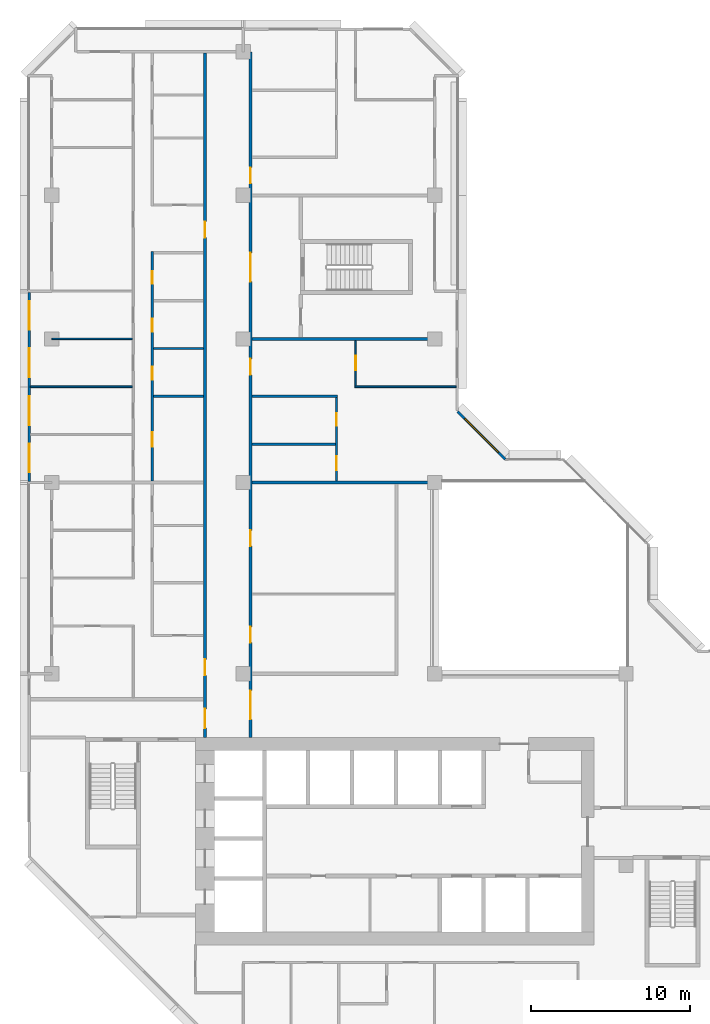
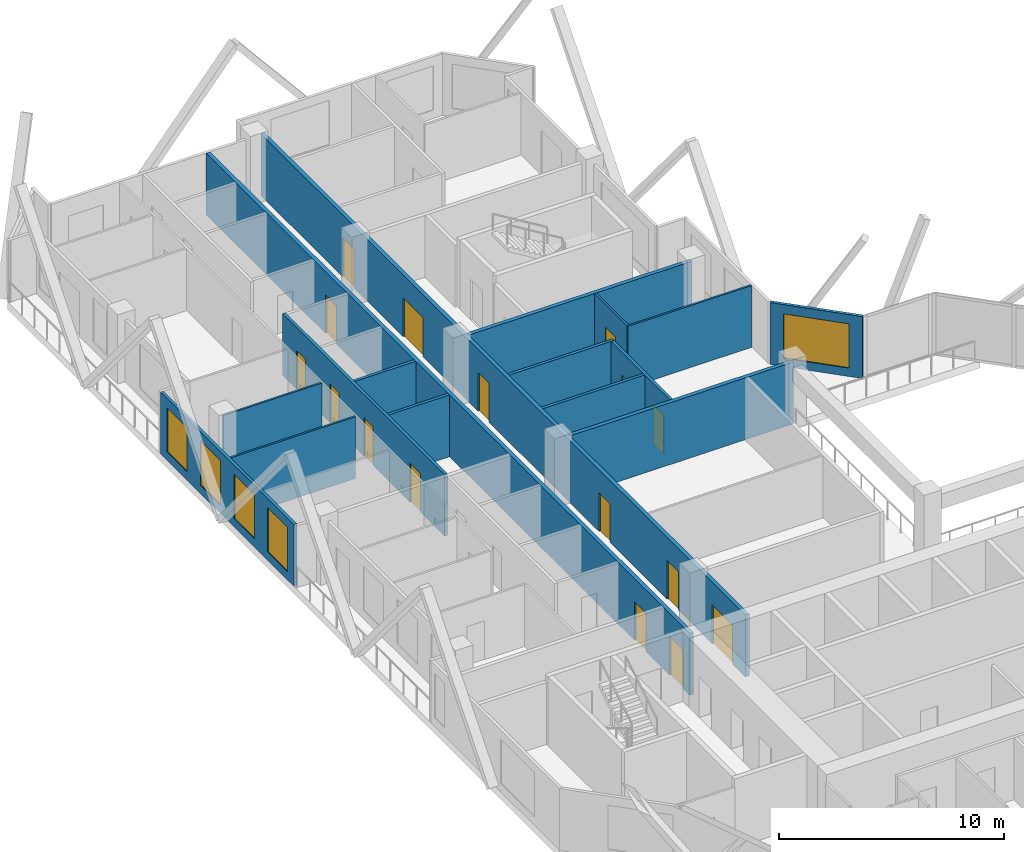
# One storey, part 9 of 15: 16 doors, 16 walls, 5 windows, 21 openings.
"""IFC4 building model written with IfcOpenShell, lengths in metres."""

from ifc_helpers import new_model, si_unit, direction, frame, frame_2d, origin, place, context, subcontext, project, spatial, rectangle, extrude, material, layer, layer_set, type_object, element, fill, save


model = new_model("IFC4")

# Units and contexts
model_context = context("Model", 3, precision=1e-05, world=origin(), true_north=direction((0.0, 1.0)))
body_context = subcontext(model_context, "Body", "Model", "MODEL_VIEW")
ifc_project = project(units=[si_unit("LENGTHUNIT", "METRE"), si_unit("AREAUNIT", "SQUARE_METRE"), si_unit("VOLUMEUNIT", "CUBIC_METRE"), si_unit("PLANEANGLEUNIT", "RADIAN"), si_unit("MASSUNIT", "GRAM", prefix="KILO")], contexts=[model_context])

# Site, building, storey
site_placement = place(None, origin())
site = spatial("IfcSite", under=ifc_project, at=site_placement, CompositionType="ELEMENT")
building_placement = place(site_placement, origin())
building = spatial("IfcBuilding", under=site, at=building_placement, Name="Chenar Terraces", CompositionType="ELEMENT")
storey_placement = place(building_placement, frame((0.0, 0.0, 172.39990234375)))
storey = spatial("IfcBuildingStorey", under=building, at=storey_placement, Name="L39", CompositionType="ELEMENT", Elevation=172.39990234375)

# Wall, openings, doors
ifc_material_1 = material(Name="Gypsum board on steel studs with fire boards", Category="steel")
ifc_layer_1 = layer(ifc_material_1, 0.199951171875)
ifc_layer_set_1 = layer_set([ifc_layer_1], Name="Gypsum board on steel studs with fire boards")
wall_type_1 = type_object("IfcWallType", Name="Corridor wall 200", PredefinedType="PARTITIONING", material=ifc_layer_set_1)
wall_1_placement = place(storey_placement, frame((9.60009765625, 20.0, 0.0), z_axis=(0.0, 0.0, 1.0), x_axis=(0.0, 1.0, 0.0)))
wall_1 = element("IfcWall", 1, at=wall_1_placement, inside=storey, type_object=wall_type_1, Name="Partition L39-032", PredefinedType="PARTITIONING", context=body_context, shape_type="SweptSolid", body=[
    extrude(rectangle(XDim=42.926025390625, YDim=0.199951171875, at=frame_2d((21.462890625, 0.0))), origin(), (0.0, 0.0, 1.0), 3.35009765625),
])
opening_1_placement = place(wall_1_placement, frame((31.35009765625, 0.0, 0.0)))
opening_1 = element("IfcOpeningElement", 2, at=opening_1_placement, cuts=wall_1, Name="Opening DL39-29", PredefinedType="OPENING", context=body_context, shape_type="SweptSolid", body=[
    extrude(rectangle(XDim=1.0, YDim=2.10009765625, at=frame_2d((0.5, 1.050048828125))), frame((0.0, 0.10986328125, 0.0), z_axis=(0.0, -1.0, 0.0), x_axis=(1.0, 0.0, 0.0)), (0.0, 0.0, 1.0), 0.219970703125),
])
opening_2_placement = place(wall_1_placement, frame((0.60009765625, 0.0, 0.0)))
opening_2 = element("IfcOpeningElement", 3, at=opening_2_placement, cuts=wall_1, Name="Opening DL39-40", PredefinedType="OPENING", context=body_context, shape_type="SweptSolid", body=[
    extrude(rectangle(XDim=1.199951171875, YDim=2.10009765625, at=frame_2d((0.60009765625, 1.050048828125))), frame((0.0, 0.10986328125, 0.0), z_axis=(0.0, -1.0, 0.0), x_axis=(1.0, 0.0, 0.0)), (0.0, 0.0, 1.0), 0.219970703125),
])
opening_3_placement = place(wall_1_placement, frame((3.89990234375, 0.0, 0.0)))
opening_3 = element("IfcOpeningElement", 4, at=opening_3_placement, cuts=wall_1, Name="Opening DL39-62", PredefinedType="OPENING", context=body_context, shape_type="SweptSolid", body=[
    extrude(rectangle(XDim=1.0, YDim=2.10009765625, at=frame_2d((0.5, 1.050048828125))), frame((0.0, 0.10986328125, 0.0), z_axis=(0.0, -1.0, 0.0), x_axis=(1.0, 0.0, 0.0)), (0.0, 0.0, 1.0), 0.219970703125),
])
ifc_material_2 = material(Name="Steel-framed fire-resisting door leaf", Category="steel")
door_type_1 = type_object("IfcDoorType", Name="Fire door FD30S 1000 x 2100", OperationType="SINGLE_SWING_LEFT", PredefinedType="DOOR", material=ifc_material_2)
door_1_placement = place(opening_1_placement, origin())
door_1 = element("IfcDoor", 5, at=door_1_placement, inside=storey, type_object=door_type_1, Name="Door DL39-29", OperationType="SINGLE_SWING_LEFT", OverallHeight=2.10009765625, OverallWidth=1.0, PredefinedType="DOOR", context=body_context, shape_type="SweptSolid", body=[
    extrude(rectangle(XDim=1.0, YDim=2.10009765625, at=frame_2d((0.5, 1.050048828125))), frame((0.0, 0.02490234375, 0.0), z_axis=(0.0, -1.0, 0.0), x_axis=(1.0, 0.0, 0.0)), (0.0, 0.0, 1.0), 0.050048828125),
])
fill(opening_1, door_1)
door_2_placement = place(opening_3_placement, origin())
door_2 = element("IfcDoor", 6, at=door_2_placement, inside=storey, type_object=door_type_1, Name="Door DL39-62", OperationType="SINGLE_SWING_LEFT", OverallHeight=2.10009765625, OverallWidth=1.0, PredefinedType="DOOR", context=body_context, shape_type="SweptSolid", body=[
    extrude(rectangle(XDim=1.0, YDim=2.10009765625, at=frame_2d((0.5, 1.050048828125))), frame((0.0, 0.02490234375, 0.0), z_axis=(0.0, -1.0, 0.0), x_axis=(1.0, 0.0, 0.0)), (0.0, 0.0, 1.0), 0.050048828125),
])
fill(opening_3, door_2)
ifc_material_3 = material(Name="Steel-framed fire-resisting door leaf", Category="steel")
door_type_2 = type_object("IfcDoorType", Name="Fire door FD30S 1200 x 2100", OperationType="SINGLE_SWING_LEFT", PredefinedType="DOOR", material=ifc_material_3)
door_3_placement = place(opening_2_placement, origin())
door_3 = element("IfcDoor", 7, at=door_3_placement, inside=storey, type_object=door_type_2, Name="Door DL39-40", OperationType="SINGLE_SWING_RIGHT", OverallHeight=2.10009765625, OverallWidth=1.199951171875, PredefinedType="DOOR", context=body_context, shape_type="SweptSolid", body=[
    extrude(rectangle(XDim=1.199951171875, YDim=2.10009765625, at=frame_2d((0.60009765625, 1.050048828125))), frame((0.0, 0.02490234375, 0.0), z_axis=(0.0, -1.0, 0.0), x_axis=(1.0, 0.0, 0.0)), (0.0, 0.0, 1.0), 0.050048828125),
])
fill(opening_2, door_3)

wall_2_placement = place(storey_placement, frame((12.449951171875, 20.0, 0.0), z_axis=(0.0, 0.0, 1.0), x_axis=(0.0, 1.0, 0.0)))
wall_2 = element("IfcWall", 8, at=wall_2_placement, inside=storey, type_object=wall_type_1, Name="Partition L39-035", PredefinedType="PARTITIONING", context=body_context, shape_type="SweptSolid", body=[
    extrude(rectangle(XDim=43.0, YDim=0.199951171875, at=frame_2d((21.5, 0.0))), origin(), (0.0, 0.0, 1.0), 3.35009765625),
])
opening_4_placement = place(wall_2_placement, frame((5.949951171875, 0.0, 0.0)))
opening_4 = element("IfcOpeningElement", 9, at=opening_4_placement, cuts=wall_2, Name="Opening DL39-1", PredefinedType="OPENING", context=body_context, shape_type="SweptSolid", body=[
    extrude(rectangle(XDim=1.0, YDim=2.10009765625, at=frame_2d((0.5, 1.050048828125))), frame((0.0, 0.10986328125, 0.0), z_axis=(0.0, -1.0, 0.0), x_axis=(1.0, 0.0, 0.0)), (0.0, 0.0, 1.0), 0.219970703125),
])
opening_5_placement = place(wall_2_placement, frame((12.0, 0.0, 0.0)))
opening_5 = element("IfcOpeningElement", 10, at=opening_5_placement, cuts=wall_2, Name="Opening DL39-2", PredefinedType="OPENING", context=body_context, shape_type="SweptSolid", body=[
    extrude(rectangle(XDim=1.0, YDim=2.10009765625, at=frame_2d((0.5, 1.050048828125))), frame((0.0, 0.10986328125, 0.0), z_axis=(0.0, -1.0, 0.0), x_axis=(1.0, 0.0, 0.0)), (0.0, 0.0, 1.0), 0.219970703125),
])
opening_6_placement = place(wall_2_placement, frame((22.75, 0.0, 0.0)))
opening_6 = element("IfcOpeningElement", 11, at=opening_6_placement, cuts=wall_2, Name="Opening DL39-18", PredefinedType="OPENING", context=body_context, shape_type="SweptSolid", body=[
    extrude(rectangle(XDim=1.0, YDim=2.10009765625, at=frame_2d((0.5, 1.050048828125))), frame((0.0, 0.10986328125, 0.0), z_axis=(0.0, -1.0, 0.0), x_axis=(1.0, 0.0, 0.0)), (0.0, 0.0, 1.0), 0.219970703125),
])
opening_7_placement = place(wall_2_placement, frame((34.75, 0.0, 0.0)))
opening_7 = element("IfcOpeningElement", 12, at=opening_7_placement, cuts=wall_2, Name="Opening DL39-22", PredefinedType="OPENING", context=body_context, shape_type="SweptSolid", body=[
    extrude(rectangle(XDim=1.0, YDim=2.10009765625, at=frame_2d((0.5, 1.050048828125))), frame((0.0, 0.10986328125, 0.0), z_axis=(0.0, -1.0, 0.0), x_axis=(1.0, 0.0, 0.0)), (0.0, 0.0, 1.0), 0.219970703125),
])
opening_8_placement = place(wall_2_placement, frame((1.14990234375, 0.0, 0.0)))
opening_8 = element("IfcOpeningElement", 13, at=opening_8_placement, cuts=wall_2, Name="Opening DL39-39", PredefinedType="OPENING", context=body_context, shape_type="SweptSolid", body=[
    extrude(rectangle(XDim=1.800048828125, YDim=2.10009765625, at=frame_2d((0.89990234375, 1.050048828125))), frame((0.0, 0.10986328125, 0.0), z_axis=(0.0, -1.0, 0.0), x_axis=(1.0, 0.0, 0.0)), (0.0, 0.0, 1.0), 0.219970703125),
])
opening_9_placement = place(wall_2_placement, frame((28.60009765625, 0.0, 0.0)))
opening_9 = element("IfcOpeningElement", 14, at=opening_9_placement, cuts=wall_2, Name="Opening DL39-41", PredefinedType="OPENING", context=body_context, shape_type="SweptSolid", body=[
    extrude(rectangle(XDim=1.800048828125, YDim=2.10009765625, at=frame_2d((0.89990234375, 1.050048828125))), frame((0.0, 0.10986328125, 0.0), z_axis=(0.0, -1.0, 0.0), x_axis=(1.0, 0.0, 0.0)), (0.0, 0.0, 1.0), 0.219970703125),
])
ifc_material_4 = material(Name="Steel-framed fire-resisting door leaf", Category="steel")
door_type_3 = type_object("IfcDoorType", Name="Fire door FD60 1000 x 2100", OperationType="SINGLE_SWING_LEFT", PredefinedType="DOOR", material=ifc_material_4)
door_4_placement = place(opening_4_placement, frame((1.0, 0.0, 0.0), z_axis=(0.0, 0.0, 1.0), x_axis=(-1.0, 0.0, 0.0)))
door_4 = element("IfcDoor", 15, at=door_4_placement, inside=storey, type_object=door_type_3, Name="Door DL39-1", OperationType="SINGLE_SWING_LEFT", OverallHeight=2.10009765625, OverallWidth=1.0, PredefinedType="DOOR", context=body_context, shape_type="SweptSolid", body=[
    extrude(rectangle(XDim=1.0, YDim=2.10009765625, at=frame_2d((0.5, 1.050048828125))), frame((0.0, 0.02490234375, 0.0), z_axis=(0.0, -1.0, 0.0), x_axis=(1.0, 0.0, 0.0)), (0.0, 0.0, 1.0), 0.050048828125),
])
fill(opening_4, door_4)
door_5_placement = place(opening_5_placement, frame((1.0, 0.0, 0.0), z_axis=(0.0, 0.0, 1.0), x_axis=(-1.0, 0.0, 0.0)))
door_5 = element("IfcDoor", 16, at=door_5_placement, inside=storey, type_object=door_type_3, Name="Door DL39-2", OperationType="SINGLE_SWING_LEFT", OverallHeight=2.10009765625, OverallWidth=1.0, PredefinedType="DOOR", context=body_context, shape_type="SweptSolid", body=[
    extrude(rectangle(XDim=1.0, YDim=2.10009765625, at=frame_2d((0.5, 1.050048828125))), frame((0.0, 0.02490234375, 0.0), z_axis=(0.0, -1.0, 0.0), x_axis=(1.0, 0.0, 0.0)), (0.0, 0.0, 1.0), 0.050048828125),
])
fill(opening_5, door_5)
door_6_placement = place(opening_6_placement, frame((1.0, 0.0, 0.0), z_axis=(0.0, 0.0, 1.0), x_axis=(-1.0, 0.0, 0.0)))
door_6 = element("IfcDoor", 17, at=door_6_placement, inside=storey, type_object=door_type_3, Name="Door DL39-18", OperationType="SINGLE_SWING_LEFT", OverallHeight=2.10009765625, OverallWidth=1.0, PredefinedType="DOOR", context=body_context, shape_type="SweptSolid", body=[
    extrude(rectangle(XDim=1.0, YDim=2.10009765625, at=frame_2d((0.5, 1.050048828125))), frame((0.0, 0.02490234375, 0.0), z_axis=(0.0, -1.0, 0.0), x_axis=(1.0, 0.0, 0.0)), (0.0, 0.0, 1.0), 0.050048828125),
])
fill(opening_6, door_6)
door_7_placement = place(opening_7_placement, frame((1.0, 0.0, 0.0), z_axis=(0.0, 0.0, 1.0), x_axis=(-1.0, 0.0, 0.0)))
door_7 = element("IfcDoor", 18, at=door_7_placement, inside=storey, type_object=door_type_3, Name="Door DL39-22", OperationType="SINGLE_SWING_LEFT", OverallHeight=2.10009765625, OverallWidth=1.0, PredefinedType="DOOR", context=body_context, shape_type="SweptSolid", body=[
    extrude(rectangle(XDim=1.0, YDim=2.10009765625, at=frame_2d((0.5, 1.050048828125))), frame((0.0, 0.02490234375, 0.0), z_axis=(0.0, -1.0, 0.0), x_axis=(1.0, 0.0, 0.0)), (0.0, 0.0, 1.0), 0.050048828125),
])
fill(opening_7, door_7)
ifc_material_5 = material(Name="Steel-framed fire-resisting door leaf", Category="steel")
door_type_4 = type_object("IfcDoorType", Name="Fire double door FD60 1800 x 2100", OperationType="DOUBLE_DOOR_SINGLE_SWING", PredefinedType="DOOR", material=ifc_material_5)
door_8_placement = place(opening_8_placement, frame((1.800048828125, 0.0, 0.0), z_axis=(0.0, 0.0, 1.0), x_axis=(-1.0, 0.0, 0.0)))
door_8 = element("IfcDoor", 19, at=door_8_placement, inside=storey, type_object=door_type_4, Name="Door DL39-39", OperationType="DOUBLE_DOOR_SINGLE_SWING", OverallHeight=2.10009765625, OverallWidth=1.800048828125, PredefinedType="DOOR", context=body_context, shape_type="SweptSolid", body=[
    extrude(rectangle(XDim=1.800048828125, YDim=2.10009765625, at=frame_2d((0.89990234375, 1.050048828125))), frame((0.0, 0.02490234375, 0.0), z_axis=(0.0, -1.0, 0.0), x_axis=(1.0, 0.0, 0.0)), (0.0, 0.0, 1.0), 0.050048828125),
])
fill(opening_8, door_8)
door_9_placement = place(opening_9_placement, frame((1.800048828125, 0.0, 0.0), z_axis=(0.0, 0.0, 1.0), x_axis=(-1.0, 0.0, 0.0)))
door_9 = element("IfcDoor", 20, at=door_9_placement, inside=storey, type_object=door_type_4, Name="Door DL39-41", OperationType="DOUBLE_DOOR_SINGLE_SWING", OverallHeight=2.10009765625, OverallWidth=1.800048828125, PredefinedType="DOOR", context=body_context, shape_type="SweptSolid", body=[
    extrude(rectangle(XDim=1.800048828125, YDim=2.10009765625, at=frame_2d((0.89990234375, 1.050048828125))), frame((0.0, 0.02490234375, 0.0), z_axis=(0.0, -1.0, 0.0), x_axis=(1.0, 0.0, 0.0)), (0.0, 0.0, 1.0), 0.050048828125),
])
fill(opening_9, door_9)

# Wall, openings, windows
ifc_material_6 = material(Name="Aluminium framed glazing", Category="aluminium")
ifc_layer_2 = layer(ifc_material_6, 0.14990234375)
ifc_layer_set_2 = layer_set([ifc_layer_2], Name="Aluminium framed glazing")
wall_type_2 = type_object("IfcWallType", Name="Glazed flush facade wall 150", PredefinedType="SOLIDWALL", material=ifc_layer_set_2)
wall_3_placement = place(storey_placement, frame((-1.425048828125, 47.925048828125, 0.0), z_axis=(0.0, 0.0, 1.0), x_axis=(0.0, -1.0, 0.0)))
wall_3 = element("IfcWall", 21, at=wall_3_placement, inside=storey, type_object=wall_type_2, Name="Glazed flush facade wall", PredefinedType="SOLIDWALL", context=body_context, shape_type="SweptSolid", body=[
    extrude(rectangle(XDim=11.85009765625, YDim=0.14990234375, at=frame_2d((5.925048828125, 0.0))), origin(), (0.0, 0.0, 1.0), 3.35009765625),
])
opening_10_placement = place(wall_3_placement, frame((0.5625, 0.0, 0.449951171875)))
opening_10 = element("IfcOpeningElement", 22, at=opening_10_placement, cuts=wall_3, Name="Opening W180x240", PredefinedType="OPENING", context=body_context, shape_type="SweptSolid", body=[
    extrude(rectangle(XDim=1.800048828125, YDim=2.39990234375, at=frame_2d((0.89990234375, 1.199951171875))), frame((0.0, 0.0849609375, 0.0), z_axis=(0.0, -1.0, 0.0), x_axis=(1.0, 0.0, 0.0)), (0.0, 0.0, 1.0), 0.169921875),
])
opening_11_placement = place(wall_3_placement, frame((3.52490234375, 0.0, 0.449951171875)))
opening_11 = element("IfcOpeningElement", 23, at=opening_11_placement, cuts=wall_3, Name="Opening W180x240", PredefinedType="OPENING", context=body_context, shape_type="SweptSolid", body=[
    extrude(rectangle(XDim=1.800048828125, YDim=2.39990234375, at=frame_2d((0.89990234375, 1.199951171875))), frame((0.0, 0.0849609375, 0.0), z_axis=(0.0, -1.0, 0.0), x_axis=(1.0, 0.0, 0.0)), (0.0, 0.0, 1.0), 0.169921875),
])
opening_12_placement = place(wall_3_placement, frame((6.52490234375, 0.0, 0.449951171875)))
opening_12 = element("IfcOpeningElement", 24, at=opening_12_placement, cuts=wall_3, Name="Opening W180x240", PredefinedType="OPENING", context=body_context, shape_type="SweptSolid", body=[
    extrude(rectangle(XDim=1.800048828125, YDim=2.39990234375, at=frame_2d((0.89990234375, 1.199951171875))), frame((0.0, 0.0849609375, 0.0), z_axis=(0.0, -1.0, 0.0), x_axis=(1.0, 0.0, 0.0)), (0.0, 0.0, 1.0), 0.169921875),
])
opening_13_placement = place(wall_3_placement, frame((9.487548828125, 0.0, 0.449951171875)))
opening_13 = element("IfcOpeningElement", 25, at=opening_13_placement, cuts=wall_3, Name="Opening W180x240", PredefinedType="OPENING", context=body_context, shape_type="SweptSolid", body=[
    extrude(rectangle(XDim=1.800048828125, YDim=2.39990234375, at=frame_2d((0.89990234375, 1.199951171875))), frame((0.0, 0.0849609375, 0.0), z_axis=(0.0, -1.0, 0.0), x_axis=(1.0, 0.0, 0.0)), (0.0, 0.0, 1.0), 0.169921875),
])
ifc_material_7 = material(Name="Low emissivity double glazing, aluminium frame", Category="aluminium")
window_type_1 = type_object("IfcWindowType", Name="Fixed light 1800 x 2400", PartitioningType="SINGLE_PANEL", PredefinedType="WINDOW", material=ifc_material_7)
window_1_placement = place(opening_10_placement, origin())
window_1 = element("IfcWindow", 26, at=window_1_placement, inside=storey, type_object=window_type_1, Name="Window", OverallHeight=2.39990234375, OverallWidth=1.800048828125, PartitioningType="SINGLE_PANEL", PredefinedType="WINDOW", context=body_context, shape_type="SweptSolid", body=[
    extrude(rectangle(XDim=1.800048828125, YDim=2.39990234375, at=frame_2d((0.89990234375, 1.199951171875))), frame((0.0, 0.030029296875, 0.0), z_axis=(0.0, -1.0, 0.0), x_axis=(1.0, 0.0, 0.0)), (0.0, 0.0, 1.0), 0.06005859375),
])
fill(opening_10, window_1)
window_2_placement = place(opening_11_placement, origin())
window_2 = element("IfcWindow", 27, at=window_2_placement, inside=storey, type_object=window_type_1, Name="Window", OverallHeight=2.39990234375, OverallWidth=1.800048828125, PartitioningType="SINGLE_PANEL", PredefinedType="WINDOW", context=body_context, shape_type="SweptSolid", body=[
    extrude(rectangle(XDim=1.800048828125, YDim=2.39990234375, at=frame_2d((0.89990234375, 1.199951171875))), frame((0.0, 0.030029296875, 0.0), z_axis=(0.0, -1.0, 0.0), x_axis=(1.0, 0.0, 0.0)), (0.0, 0.0, 1.0), 0.06005859375),
])
fill(opening_11, window_2)
window_3_placement = place(opening_12_placement, origin())
window_3 = element("IfcWindow", 28, at=window_3_placement, inside=storey, type_object=window_type_1, Name="Window", OverallHeight=2.39990234375, OverallWidth=1.800048828125, PartitioningType="SINGLE_PANEL", PredefinedType="WINDOW", context=body_context, shape_type="SweptSolid", body=[
    extrude(rectangle(XDim=1.800048828125, YDim=2.39990234375, at=frame_2d((0.89990234375, 1.199951171875))), frame((0.0, 0.030029296875, 0.0), z_axis=(0.0, -1.0, 0.0), x_axis=(1.0, 0.0, 0.0)), (0.0, 0.0, 1.0), 0.06005859375),
])
fill(opening_12, window_3)
window_4_placement = place(opening_13_placement, origin())
window_4 = element("IfcWindow", 29, at=window_4_placement, inside=storey, type_object=window_type_1, Name="Window", OverallHeight=2.39990234375, OverallWidth=1.800048828125, PartitioningType="SINGLE_PANEL", PredefinedType="WINDOW", context=body_context, shape_type="SweptSolid", body=[
    extrude(rectangle(XDim=1.800048828125, YDim=2.39990234375, at=frame_2d((0.89990234375, 1.199951171875))), frame((0.0, 0.030029296875, 0.0), z_axis=(0.0, -1.0, 0.0), x_axis=(1.0, 0.0, 0.0)), (0.0, 0.0, 1.0), 0.06005859375),
])
fill(opening_13, window_4)

# Walls
ifc_material_8 = material(Name="Gypsum board on steel studs", Category="steel")
ifc_layer_3 = layer(ifc_material_8, 0.10009765625)
ifc_layer_set_3 = layer_set([ifc_layer_3], Name="Gypsum board on steel studs")
wall_type_3 = type_object("IfcWallType", Name="Gypsum partition 100", PredefinedType="PARTITIONING", material=ifc_layer_set_3)
wall_4_placement = place(storey_placement, frame((-1.35009765625, 42.0, 0.0), z_axis=(0.0, 0.0, 1.0), x_axis=(1.0, 0.0, 0.0)))
element("IfcWall", 30, at=wall_4_placement, inside=storey, type_object=wall_type_3, Name="Partition L39-005", PredefinedType="PARTITIONING", context=body_context, shape_type="SweptSolid", body=[
    extrude(rectangle(XDim=6.400146484375, YDim=0.10009765625, at=frame_2d((3.2001953125, 0.0))), origin(), (0.0, 0.0, 1.0), 3.35009765625),
])
wall_5_placement = place(storey_placement, frame((0.0, 45.0, 0.0), z_axis=(0.0, 0.0, 1.0), x_axis=(1.0, 0.0, 0.0)))
element("IfcWall", 31, at=wall_5_placement, inside=storey, type_object=wall_type_3, Name="Partition L39-006", PredefinedType="PARTITIONING", context=body_context, shape_type="SweptSolid", body=[
    extrude(rectangle(XDim=5.050048828125, YDim=0.10009765625, at=frame_2d((2.52490234375, 0.0))), origin(), (0.0, 0.0, 1.0), 3.35009765625),
])
wall_6_placement = place(storey_placement, frame((19.0, 42.0, 0.0), z_axis=(0.0, 0.0, 1.0), x_axis=(1.0, 0.0, 0.0)))
element("IfcWall", 32, at=wall_6_placement, inside=storey, type_object=wall_type_3, Name="Partition L39-052", PredefinedType="PARTITIONING", context=body_context, shape_type="SweptSolid", body=[
    extrude(rectangle(XDim=6.35009765625, YDim=0.10009765625, at=frame_2d((3.175048828125, 0.0))), origin(), (0.0, 0.0, 1.0), 3.35009765625),
])

# Wall, opening, door
wall_7_placement = place(storey_placement, frame((19.050048828125, 42.050048828125, 0.0), z_axis=(0.0, 0.0, 1.0), x_axis=(0.0, 1.0, 0.0)))
wall_7 = element("IfcWall", 33, at=wall_7_placement, inside=storey, type_object=wall_type_3, Name="Partition L39-054", PredefinedType="PARTITIONING", context=body_context, shape_type="SweptSolid", body=[
    extrude(rectangle(XDim=2.849853515625, YDim=0.10009765625, at=frame_2d((1.4248046875, 0.0))), origin(), (0.0, 0.0, 1.0), 3.35009765625),
])
opening_14_placement = place(wall_7_placement, frame((1.0, 0.0, 0.0)))
opening_14 = element("IfcOpeningElement", 34, at=opening_14_placement, cuts=wall_7, Name="Opening DL39-16", PredefinedType="OPENING", context=body_context, shape_type="SweptSolid", body=[
    extrude(rectangle(XDim=0.89990234375, YDim=2.10009765625, at=frame_2d((0.449951171875, 1.050048828125))), frame((0.0, 0.06005859375, 0.0), z_axis=(0.0, -1.0, 0.0), x_axis=(1.0, 0.0, 0.0)), (0.0, 0.0, 1.0), 0.1201171875),
])
ifc_material_9 = material(Name="Veneered timber door leaf", Category="wood")
door_type_5 = type_object("IfcDoorType", Name="Door 900 x 2100", OperationType="SINGLE_SWING_LEFT", PredefinedType="DOOR", material=ifc_material_9)
door_10_placement = place(opening_14_placement, frame((0.89990234375, 0.0, 0.0), z_axis=(0.0, 0.0, 1.0), x_axis=(-1.0, 0.0, 0.0)))
door_10 = element("IfcDoor", 35, at=door_10_placement, inside=storey, type_object=door_type_5, Name="Door DL39-16", OperationType="SINGLE_SWING_LEFT", OverallHeight=2.10009765625, OverallWidth=0.89990234375, PredefinedType="DOOR", context=body_context, shape_type="SweptSolid", body=[
    extrude(rectangle(XDim=0.89990234375, YDim=2.10009765625, at=frame_2d((0.449951171875, 1.050048828125))), frame((0.0, 0.02490234375, 0.0), z_axis=(0.0, -1.0, 0.0), x_axis=(1.0, 0.0, 0.0)), (0.0, 0.0, 1.0), 0.050048828125),
])
fill(opening_14, door_10)

# Wall, opening, window
ifc_material_10 = material(Name="Terracotta cladding on insulated backing", Category="masonry")
ifc_layer_4 = layer(ifc_material_10, 0.14990234375)
ifc_layer_set_4 = layer_set([ifc_layer_4], Name="Terracotta cladding on insulated backing")
wall_type_4 = type_object("IfcWallType", Name="Terracotta rainscreen wall 150", PredefinedType="SOLIDWALL", material=ifc_layer_set_4)
wall_8_placement = place(storey_placement, frame((28.447021484375, 37.447021484375, 0.0), z_axis=(0.0, 0.0, 1.0), x_axis=(-0.707106781187, 0.707106781187, 0.0)))
wall_8 = element("IfcWall", 36, at=wall_8_placement, inside=storey, type_object=wall_type_4, Name="Terracotta rainscreen wall", PredefinedType="SOLIDWALL", context=body_context, shape_type="SweptSolid", body=[
    extrude(rectangle(XDim=4.24267578125, YDim=0.14990234375, at=frame_2d((2.121337890625, 0.0))), origin(), (0.0, 0.0, 1.0), 3.35009765625),
])
opening_15_placement = place(wall_8_placement, frame((0.621337890625, 0.0, 0.449951171875)))
opening_15 = element("IfcOpeningElement", 37, at=opening_15_placement, cuts=wall_8, Name="Opening W300x240", PredefinedType="OPENING", context=body_context, shape_type="SweptSolid", body=[
    extrude(rectangle(XDim=3.0, YDim=2.39990234375, at=frame_2d((1.5, 1.199951171875))), frame((0.0, 0.0849609375, 0.0), z_axis=(0.0, -1.0, 0.0), x_axis=(1.0, 0.0, 0.0)), (0.0, 0.0, 1.0), 0.169921875),
])
ifc_material_11 = material(Name="Low emissivity double glazing, aluminium frame", Category="aluminium")
window_type_2 = type_object("IfcWindowType", Name="Fixed light 3000 x 2400", PartitioningType="SINGLE_PANEL", PredefinedType="WINDOW", material=ifc_material_11)
window_5_placement = place(opening_15_placement, origin())
window_5 = element("IfcWindow", 38, at=window_5_placement, inside=storey, type_object=window_type_2, Name="Window", OverallHeight=2.39990234375, OverallWidth=3.0, PartitioningType="SINGLE_PANEL", PredefinedType="WINDOW", context=body_context, shape_type="SweptSolid", body=[
    extrude(rectangle(XDim=3.0, YDim=2.39990234375, at=frame_2d((1.5, 1.199951171875))), frame((0.0, 0.030029296875, 0.0), z_axis=(0.0, -1.0, 0.0), x_axis=(1.0, 0.0, 0.0)), (0.0, 0.0, 1.0), 0.06005859375),
])
fill(opening_15, window_5)

# Walls
ifc_material_12 = material(Name="Twin gypsum board on steel studs with mineral wool", Category="steel")
ifc_layer_5 = layer(ifc_material_12, 0.199951171875)
ifc_layer_set_5 = layer_set([ifc_layer_5], Name="Twin gypsum board on steel studs with mineral wool")
wall_type_5 = type_object("IfcWallType", Name="Unit demising wall 200", PredefinedType="PARTITIONING", material=ifc_layer_set_5)
for number, where, z_axis, x_axis, name in (
    (39, (12.550048828125, 36.0, 0.0), (0.0, 0.0, 1.0), (1.0, 0.0, 0.0), "Partition L39-038"),
    (40, (12.550048828125, 45.0, 0.0), (0.0, 0.0, 1.0), (1.0, 0.0, 0.0), "Partition L39-041"),
):
    element("IfcWall", number, at=place(storey_placement, frame(where, z_axis=z_axis, x_axis=x_axis)), inside=storey, type_object=wall_type_5, Name=name, PredefinedType="PARTITIONING", context=body_context, shape_type="SweptSolid", body=[
        extrude(rectangle(XDim=11.449951171875, YDim=0.199951171875, at=frame_2d((5.72509765625, 0.0))), origin(), (0.0, 0.0, 1.0), 3.35009765625),
    ])

# Wall, openings, doors
ifc_material_13 = material(Name="Moisture-resistant gypsum board on steel studs", Category="steel")
ifc_layer_6 = layer(ifc_material_13, 0.14990234375)
ifc_layer_set_6 = layer_set([ifc_layer_6], Name="Moisture-resistant gypsum board on steel studs")
wall_type_6 = type_object("IfcWallType", Name="Wet-room partition 150", PredefinedType="PARTITIONING", material=ifc_layer_set_6)
wall_9_placement = place(storey_placement, frame((6.300048828125, 36.10009765625, 0.0), z_axis=(0.0, 0.0, 1.0), x_axis=(0.0, 1.0, 0.0)))
wall_9 = element("IfcWall", 41, at=wall_9_placement, inside=storey, type_object=wall_type_6, Name="Partition L39-018", PredefinedType="PARTITIONING", context=body_context, shape_type="SweptSolid", body=[
    extrude(rectangle(XDim=14.375, YDim=0.14990234375, at=frame_2d((7.1875, 0.0))), origin(), (0.0, 0.0, 1.0), 3.35009765625),
])
opening_16_placement = place(wall_9_placement, frame((2.14990234375, 0.0, 0.0)))
opening_16 = element("IfcOpeningElement", 42, at=opening_16_placement, cuts=wall_9, Name="Opening DL39-30", PredefinedType="OPENING", context=body_context, shape_type="SweptSolid", body=[
    extrude(rectangle(XDim=0.89990234375, YDim=2.10009765625, at=frame_2d((0.449951171875, 1.050048828125))), frame((0.0, 0.0849609375, 0.0), z_axis=(0.0, -1.0, 0.0), x_axis=(1.0, 0.0, 0.0)), (0.0, 0.0, 1.0), 0.169921875),
])
opening_17_placement = place(wall_9_placement, frame((9.35009765625, 0.0, 0.0)))
opening_17 = element("IfcOpeningElement", 43, at=opening_17_placement, cuts=wall_9, Name="Opening DL39-31", PredefinedType="OPENING", context=body_context, shape_type="SweptSolid", body=[
    extrude(rectangle(XDim=0.800048828125, YDim=2.10009765625, at=frame_2d((0.39990234375, 1.050048828125))), frame((0.0, 0.0849609375, 0.0), z_axis=(0.0, -1.0, 0.0), x_axis=(1.0, 0.0, 0.0)), (0.0, 0.0, 1.0), 0.169921875),
])
opening_18_placement = place(wall_9_placement, frame((6.35009765625, 0.0, 0.0)))
opening_18 = element("IfcOpeningElement", 44, at=opening_18_placement, cuts=wall_9, Name="Opening DL39-35", PredefinedType="OPENING", context=body_context, shape_type="SweptSolid", body=[
    extrude(rectangle(XDim=0.800048828125, YDim=2.10009765625, at=frame_2d((0.39990234375, 1.050048828125))), frame((0.0, 0.0849609375, 0.0), z_axis=(0.0, -1.0, 0.0), x_axis=(1.0, 0.0, 0.0)), (0.0, 0.0, 1.0), 0.169921875),
])
opening_19_placement = place(wall_9_placement, frame((12.35009765625, 0.0, 0.0)))
opening_19 = element("IfcOpeningElement", 45, at=opening_19_placement, cuts=wall_9, Name="Opening DL39-36", PredefinedType="OPENING", context=body_context, shape_type="SweptSolid", body=[
    extrude(rectangle(XDim=0.800048828125, YDim=2.10009765625, at=frame_2d((0.39990234375, 1.050048828125))), frame((0.0, 0.0849609375, 0.0), z_axis=(0.0, -1.0, 0.0), x_axis=(1.0, 0.0, 0.0)), (0.0, 0.0, 1.0), 0.169921875),
])
ifc_material_14 = material(Name="Veneered timber door leaf", Category="wood")
door_type_6 = type_object("IfcDoorType", Name="Door 800 x 2100", OperationType="SINGLE_SWING_LEFT", PredefinedType="DOOR", material=ifc_material_14)
door_11_placement = place(opening_17_placement, frame((0.800048828125, 0.0, 0.0), z_axis=(0.0, 0.0, 1.0), x_axis=(-1.0, 0.0, 0.0)))
door_11 = element("IfcDoor", 46, at=door_11_placement, inside=storey, type_object=door_type_6, Name="Door DL39-31", OperationType="SINGLE_SWING_RIGHT", OverallHeight=2.10009765625, OverallWidth=0.800048828125, PredefinedType="DOOR", context=body_context, shape_type="SweptSolid", body=[
    extrude(rectangle(XDim=0.800048828125, YDim=2.10009765625, at=frame_2d((0.39990234375, 1.050048828125))), frame((0.0, 0.02490234375, 0.0), z_axis=(0.0, -1.0, 0.0), x_axis=(1.0, 0.0, 0.0)), (0.0, 0.0, 1.0), 0.050048828125),
])
fill(opening_17, door_11)
door_12_placement = place(opening_18_placement, frame((0.800048828125, 0.0, 0.0), z_axis=(0.0, 0.0, 1.0), x_axis=(-1.0, 0.0, 0.0)))
door_12 = element("IfcDoor", 47, at=door_12_placement, inside=storey, type_object=door_type_6, Name="Door DL39-35", OperationType="SINGLE_SWING_RIGHT", OverallHeight=2.10009765625, OverallWidth=0.800048828125, PredefinedType="DOOR", context=body_context, shape_type="SweptSolid", body=[
    extrude(rectangle(XDim=0.800048828125, YDim=2.10009765625, at=frame_2d((0.39990234375, 1.050048828125))), frame((0.0, 0.02490234375, 0.0), z_axis=(0.0, -1.0, 0.0), x_axis=(1.0, 0.0, 0.0)), (0.0, 0.0, 1.0), 0.050048828125),
])
fill(opening_18, door_12)
door_13_placement = place(opening_19_placement, frame((0.800048828125, 0.0, 0.0), z_axis=(0.0, 0.0, 1.0), x_axis=(-1.0, 0.0, 0.0)))
door_13 = element("IfcDoor", 48, at=door_13_placement, inside=storey, type_object=door_type_6, Name="Door DL39-36", OperationType="SINGLE_SWING_RIGHT", OverallHeight=2.10009765625, OverallWidth=0.800048828125, PredefinedType="DOOR", context=body_context, shape_type="SweptSolid", body=[
    extrude(rectangle(XDim=0.800048828125, YDim=2.10009765625, at=frame_2d((0.39990234375, 1.050048828125))), frame((0.0, 0.02490234375, 0.0), z_axis=(0.0, -1.0, 0.0), x_axis=(1.0, 0.0, 0.0)), (0.0, 0.0, 1.0), 0.050048828125),
])
fill(opening_19, door_13)
door_14_placement = place(opening_16_placement, frame((0.89990234375, 0.0, 0.0), z_axis=(0.0, 0.0, 1.0), x_axis=(-1.0, 0.0, 0.0)))
door_14 = element("IfcDoor", 49, at=door_14_placement, inside=storey, type_object=door_type_5, Name="Door DL39-30", OperationType="SINGLE_SWING_LEFT", OverallHeight=2.10009765625, OverallWidth=0.89990234375, PredefinedType="DOOR", context=body_context, shape_type="SweptSolid", body=[
    extrude(rectangle(XDim=0.89990234375, YDim=2.10009765625, at=frame_2d((0.449951171875, 1.050048828125))), frame((0.0, 0.02490234375, 0.0), z_axis=(0.0, -1.0, 0.0), x_axis=(1.0, 0.0, 0.0)), (0.0, 0.0, 1.0), 0.050048828125),
])
fill(opening_16, door_14)

# Walls
for number, where, z_axis, x_axis, name in (
    (50, (6.375, 41.39990234375, 0.0), (0.0, 0.0, 1.0), (1.0, 0.0, 0.0), "Partition L39-023"),
    (51, (6.375, 44.39990234375, 0.0), (0.0, 0.0, 1.0), (1.0, 0.0, 0.0), "Partition L39-024"),
):
    element("IfcWall", number, at=place(storey_placement, frame(where, z_axis=z_axis, x_axis=x_axis)), inside=storey, type_object=wall_type_6, Name=name, PredefinedType="PARTITIONING", context=body_context, shape_type="SweptSolid", body=[
        extrude(rectangle(XDim=3.125, YDim=0.14990234375, at=frame_2d((1.5625, 0.0))), origin(), (0.0, 0.0, 1.0), 3.35009765625),
    ])
wall_10_placement = place(storey_placement, frame((12.550048828125, 38.39990234375, 0.0), z_axis=(0.0, 0.0, 1.0), x_axis=(1.0, 0.0, 0.0)))
element("IfcWall", 52, at=wall_10_placement, inside=storey, type_object=wall_type_6, Name="Partition L39-039", PredefinedType="PARTITIONING", context=body_context, shape_type="SweptSolid", body=[
    extrude(rectangle(XDim=5.224853515625, YDim=0.14990234375, at=frame_2d((2.6123046875, 0.0))), origin(), (0.0, 0.0, 1.0), 3.35009765625),
])
wall_11_placement = place(storey_placement, frame((12.550048828125, 41.39990234375, 0.0), z_axis=(0.0, 0.0, 1.0), x_axis=(1.0, 0.0, 0.0)))
element("IfcWall", 53, at=wall_11_placement, inside=storey, type_object=wall_type_6, Name="Partition L39-040", PredefinedType="PARTITIONING", context=body_context, shape_type="SweptSolid", body=[
    extrude(rectangle(XDim=5.375, YDim=0.14990234375, at=frame_2d((2.6875, 0.0))), origin(), (0.0, 0.0, 1.0), 3.35009765625),
])

# Wall, openings, doors
wall_12_placement = place(storey_placement, frame((17.85009765625, 36.10009765625, 0.0), z_axis=(0.0, 0.0, 1.0), x_axis=(0.0, 1.0, 0.0)))
wall_12 = element("IfcWall", 54, at=wall_12_placement, inside=storey, type_object=wall_type_6, Name="Partition L39-048", PredefinedType="PARTITIONING", context=body_context, shape_type="SweptSolid", body=[
    extrude(rectangle(XDim=5.224853515625, YDim=0.14990234375, at=frame_2d((2.6123046875, 0.0))), origin(), (0.0, 0.0, 1.0), 3.35009765625),
])
opening_20_placement = place(wall_12_placement, frame((3.449951171875, 0.0, 0.0)))
opening_20 = element("IfcOpeningElement", 55, at=opening_20_placement, cuts=wall_12, Name="Opening DL39-15", PredefinedType="OPENING", context=body_context, shape_type="SweptSolid", body=[
    extrude(rectangle(XDim=0.800048828125, YDim=2.10009765625, at=frame_2d((0.39990234375, 1.050048828125))), frame((0.0, 0.0849609375, 0.0), z_axis=(0.0, -1.0, 0.0), x_axis=(1.0, 0.0, 0.0)), (0.0, 0.0, 1.0), 0.169921875),
])
opening_21_placement = place(wall_12_placement, frame((0.64990234375, 0.0, 0.0)))
opening_21 = element("IfcOpeningElement", 56, at=opening_21_placement, cuts=wall_12, Name="Opening DL39-17", PredefinedType="OPENING", context=body_context, shape_type="SweptSolid", body=[
    extrude(rectangle(XDim=0.89990234375, YDim=2.10009765625, at=frame_2d((0.449951171875, 1.050048828125))), frame((0.0, 0.0849609375, 0.0), z_axis=(0.0, -1.0, 0.0), x_axis=(1.0, 0.0, 0.0)), (0.0, 0.0, 1.0), 0.169921875),
])
door_15_placement = place(opening_20_placement, origin())
door_15 = element("IfcDoor", 57, at=door_15_placement, inside=storey, type_object=door_type_6, Name="Door DL39-15", OperationType="SINGLE_SWING_RIGHT", OverallHeight=2.10009765625, OverallWidth=0.800048828125, PredefinedType="DOOR", context=body_context, shape_type="SweptSolid", body=[
    extrude(rectangle(XDim=0.800048828125, YDim=2.10009765625, at=frame_2d((0.39990234375, 1.050048828125))), frame((0.0, 0.02490234375, 0.0), z_axis=(0.0, -1.0, 0.0), x_axis=(1.0, 0.0, 0.0)), (0.0, 0.0, 1.0), 0.050048828125),
])
fill(opening_20, door_15)
door_16_placement = place(opening_21_placement, origin())
door_16 = element("IfcDoor", 58, at=door_16_placement, inside=storey, type_object=door_type_5, Name="Door DL39-17", OperationType="SINGLE_SWING_RIGHT", OverallHeight=2.10009765625, OverallWidth=0.89990234375, PredefinedType="DOOR", context=body_context, shape_type="SweptSolid", body=[
    extrude(rectangle(XDim=0.89990234375, YDim=2.10009765625, at=frame_2d((0.449951171875, 1.050048828125))), frame((0.0, 0.02490234375, 0.0), z_axis=(0.0, -1.0, 0.0), x_axis=(1.0, 0.0, 0.0)), (0.0, 0.0, 1.0), 0.050048828125),
])
fill(opening_21, door_16)

save(model, "model.ifc")
